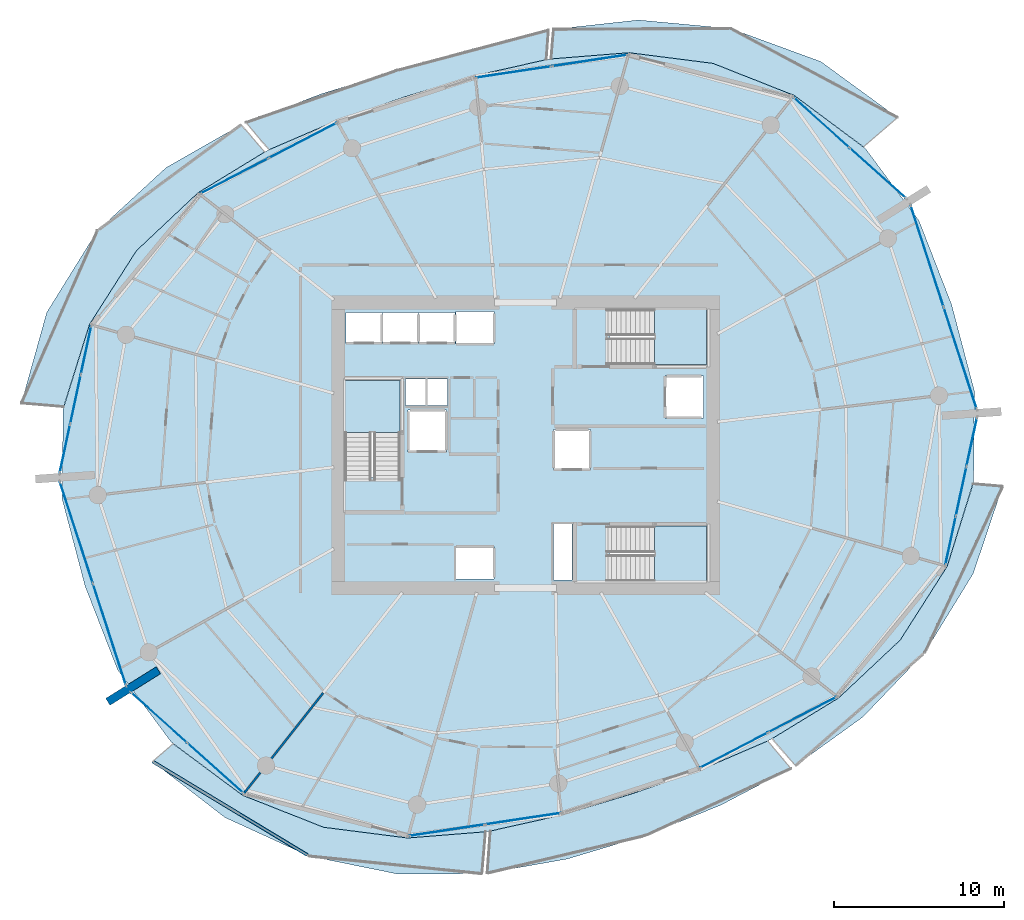
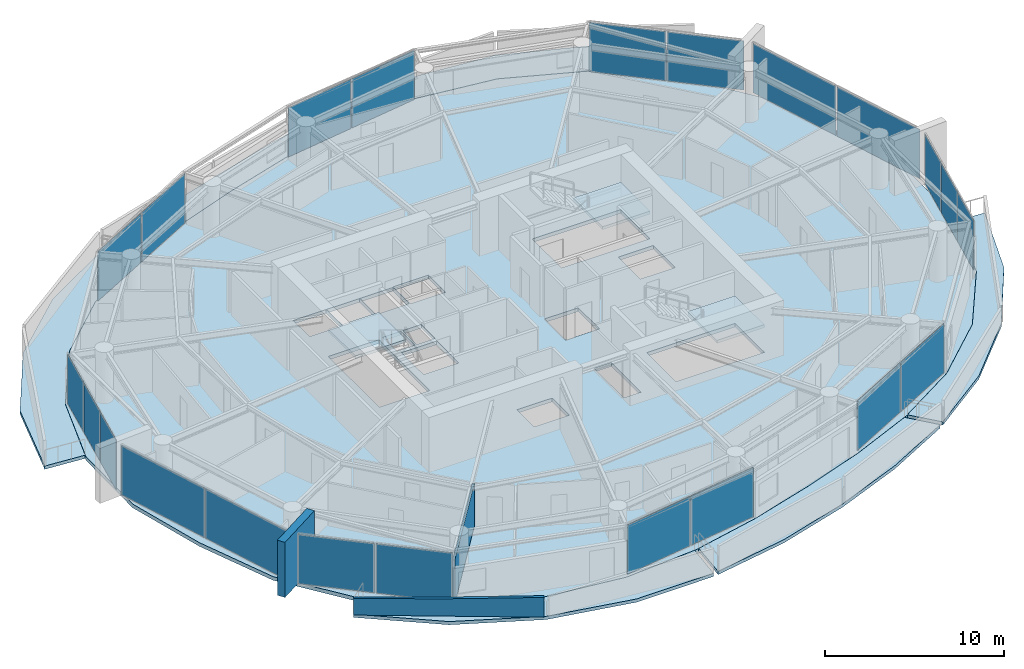
# One storey, part 10 of 20: 22 plates, 10 slabs, 3 walls, 13 elements without a shape of their own.
"""IFC4 building model written with IfcOpenShell, lengths in metres."""

import ifcopenshell
import ifcopenshell.guid

model = None  # the IFC model being written
_history = None  # IfcOwnerHistory: only IFC2X3 demands one
_inside = {}  # id of a spatial element -> (the spatial element, [elements in it])
_under = {}  # id of a project, library or spatial element -> (it, [spatial elements below it])
_declared = {}  # id of a project -> (the project, [libraries it declares])
_typed = {}  # id of a type object -> (the type object, [elements of that type])
_made_of = {}  # id of a material, layer set ... -> (it, [elements and type objects made of it])


def new_model(schema):
    """Start an empty IFC model of exactly this schema.

    Asked for "IFC4X3", IfcOpenShell would pick the latest addendum, in which some entities
    have other attributes; the version numbers below select the first issue.
    IFC2X3 requires an IfcOwnerHistory on every rooted entity: one is made here for all.
    """
    global model, _history
    if schema == "IFC4X3":
        model = ifcopenshell.file(schema_version=(4, 3, 0, 0))
    else:
        model = ifcopenshell.file(schema=schema)
    _inside.clear()
    _under.clear()
    _declared.clear()
    _typed.clear()
    _made_of.clear()
    _history = None
    if model.schema == "IFC2X3":
        org = make("IfcOrganization", Name="unknown")
        user = make(
            "IfcPersonAndOrganization",
            ThePerson=make("IfcPerson", FamilyName="unknown"),
            TheOrganization=org,
        )
        app = make(
            "IfcApplication",
            ApplicationDeveloper=org,
            Version="unknown",
            ApplicationFullName="unknown",
            ApplicationIdentifier="unknown",
        )
        _history = make(
            "IfcOwnerHistory",
            OwningUser=user,
            OwningApplication=app,
            ChangeAction="ADDED",
            CreationDate=0,
        )
    return model


def make(cls, **values):
    """One entity of the class cls with the attributes given. An attribute that is None is left unset."""
    return model.create_entity(
        cls, **{name: value for name, value in values.items() if value is not None}
    )


def rooted(cls, **values):
    """An entity with a GlobalId (a new one), such as an element, a storey or a relation."""
    return make(cls, GlobalId=ifcopenshell.guid.new(), OwnerHistory=_history, **values)


def si_unit(unit_type, name, prefix=None):
    """IfcSIUnit, for example si_unit("LENGTHUNIT", "METRE", prefix="MILLI")."""
    return make("IfcSIUnit", UnitType=unit_type, Prefix=prefix, Name=name)


def assignment(units):
    """IfcUnitAssignment: the units of a project."""
    return None if units is None else make("IfcUnitAssignment", Units=units)


def point(xyz):
    """IfcCartesianPoint."""
    return None if xyz is None else make("IfcCartesianPoint", Coordinates=xyz)


def direction(xyz):
    """IfcDirection."""
    return None if xyz is None else make("IfcDirection", DirectionRatios=xyz)


def frame(location, z_axis=None, x_axis=None):
    """IfcAxis2Placement3D, a coordinate frame: its origin and axes. An axis left out is left unset."""
    return make(
        "IfcAxis2Placement3D",
        Location=point(location),
        Axis=direction(z_axis),
        RefDirection=direction(x_axis),
    )


def frame_2d(location, x_axis=None):
    """IfcAxis2Placement2D, a coordinate frame in the plane: its origin and x axis."""
    return make(
        "IfcAxis2Placement2D", Location=point(location), RefDirection=direction(x_axis)
    )


def origin():
    """The frame at (0, 0, 0) with its axes left unset."""
    return frame((0.0, 0.0, 0.0))


def origin_2d():
    """The frame at (0, 0) in the plane with its x axis left unset."""
    return frame_2d((0.0, 0.0))


def place(relative_to, where):
    """IfcLocalPlacement: puts the frame where relative to a parent placement (None: the world)."""
    return make(
        "IfcLocalPlacement", PlacementRelTo=relative_to, RelativePlacement=where
    )


def context(
    kind, dimensions, precision=None, world=None, true_north=None, identifier=None
):
    """IfcGeometricRepresentationContext, for example the 3D "Model" context."""
    return make(
        "IfcGeometricRepresentationContext",
        ContextIdentifier=identifier,
        ContextType=kind,
        CoordinateSpaceDimension=dimensions,
        Precision=precision,
        WorldCoordinateSystem=world,
        TrueNorth=true_north,
    )


def subcontext(parent, identifier, kind, view, scale=None):
    """IfcGeometricRepresentationSubContext, for example "Body" below "Model"."""
    return make(
        "IfcGeometricRepresentationSubContext",
        ContextIdentifier=identifier,
        ContextType=kind,
        ParentContext=parent,
        TargetScale=scale,
        TargetView=view,
    )


def project(units=None, contexts=None):
    """IfcProject with its units and contexts."""
    return rooted(
        "IfcProject",
        Name="project",
        RepresentationContexts=contexts,
        UnitsInContext=assignment(units),
    )


def spatial(cls, under=None, at=None, **own):
    """A site, building, storey or space (cls), placed at a placement, below another one or the project."""
    s = rooted(cls, ObjectPlacement=at, **own)
    if under is not None:
        _under.setdefault(under.id(), (under, []))[1].append(s)
    return s


def polyline(points):
    """IfcPolyline through the points."""
    return make("IfcPolyline", Points=[point(p) for p in points])


def profile(cls, at=None, kind="AREA", **sizes):
    """A parametric profile (cls). Its sizes go by their IFC names, for example OverallWidth=200.0."""
    return make(cls, ProfileType=kind, Position=at, **sizes)


def rectangle(**sizes):
    """IfcRectangleProfileDef."""
    return profile("IfcRectangleProfileDef", **sizes)


def outline(outer, holes=None, kind="AREA"):
    """IfcArbitraryClosedProfileDef: a profile drawn as a closed curve; with holes, ...WithVoids."""
    if holes is None:
        return make("IfcArbitraryClosedProfileDef", ProfileType=kind, OuterCurve=outer)
    return make(
        "IfcArbitraryProfileDefWithVoids",
        ProfileType=kind,
        OuterCurve=outer,
        InnerCurves=holes,
    )


def extrude(swept, where, along, depth):
    """IfcExtrudedAreaSolid: the profile swept, set in the frame where, extruded along a direction by depth."""
    return make(
        "IfcExtrudedAreaSolid",
        SweptArea=swept,
        Position=where,
        ExtrudedDirection=direction(along),
        Depth=depth,
    )


def shape(context_of_items, identifier, shape_type, items):
    """IfcShapeRepresentation: the items that make up one representation, for example the "Body"."""
    return make(
        "IfcShapeRepresentation",
        ContextOfItems=context_of_items,
        RepresentationIdentifier=identifier,
        RepresentationType=shape_type,
        Items=items,
    )


def material(Name=None, Category=None):
    """IfcMaterial."""
    return make("IfcMaterial", Name=Name, Category=Category)


def layer(
    of_material, thickness, ventilated=None, Name=None, Category=None, Priority=None
):
    """IfcMaterialLayer: one layer of a wall or slab, of a material (None: an air gap)."""
    return make(
        "IfcMaterialLayer",
        Material=of_material,
        LayerThickness=thickness,
        IsVentilated=ventilated,
        Name=Name,
        Category=Category,
        Priority=Priority,
    )


def layer_set(layers, Name=None):
    """IfcMaterialLayerSet."""
    return make("IfcMaterialLayerSet", MaterialLayers=layers, LayerSetName=Name)


def made_of(thing, what):
    """Note that an element or type object is made of a material, layer set ...; save() writes the relation."""
    if what is not None:
        _made_of.setdefault(what.id(), (what, []))[1].append(thing)
    return thing


def type_object(cls, material=None, **own):
    """A type object (cls), such as IfcWallType, which elements share."""
    return made_of(rooted(cls, **own), material)


def element(
    cls,
    number,
    at=None,
    inside=None,
    cuts=None,
    type_object=None,
    material=None,
    context=None,
    identifier="Body",
    shape_type=None,
    held_by="IfcProductDefinitionShape",
    body=None,
    shapes=None,
    **own,
):
    """One element of the class cls, such as IfcWall. Its Tag is "e" and its number.

    at: its placement. inside: the storey or other place that contains it. cuts: it is an
    opening in that element (IfcRelVoidsElement). A single representation is given by context,
    identifier, shape_type and body (its items); several are given by shapes. held_by: the class
    of the entity that holds the representations. save() writes the other relations.
    """
    e = rooted(cls, Tag="e%d" % number, ObjectPlacement=at, **own)
    if body is not None:
        shapes = [shape(context, identifier, shape_type, body)]
    if shapes is not None:
        e.Representation = make(held_by, Representations=shapes)
    if inside is not None:
        _inside.setdefault(inside.id(), (inside, []))[1].append(e)
    if cuts is not None:
        rooted(
            "IfcRelVoidsElement", RelatingBuildingElement=cuts, RelatedOpeningElement=e
        )
    if type_object is not None:
        _typed.setdefault(type_object.id(), (type_object, []))[1].append(e)
    return made_of(e, material)


def aggregate(whole, parts):
    """IfcRelAggregates: a whole, such as a stair, and the parts it consists of."""
    return rooted("IfcRelAggregates", RelatingObject=whole, RelatedObjects=parts)


def save(model, path):
    """Write the relations noted so far, then the file.

    IfcRelAggregates (storeys below a building ...), IfcRelContainedInSpatialStructure (elements
    in a storey), IfcRelDefinesByType, IfcRelAssociatesMaterial and IfcRelDeclares: one each for
    every whole, place, type object, material and project.
    """
    for whole, parts in _under.values():
        aggregate(whole, parts)
    for where, things in _inside.values():
        rooted(
            "IfcRelContainedInSpatialStructure",
            RelatedElements=things,
            RelatingStructure=where,
        )
    for kind, things in _typed.values():
        rooted("IfcRelDefinesByType", RelatedObjects=things, RelatingType=kind)
    for what, things in _made_of.values():
        rooted("IfcRelAssociatesMaterial", RelatedObjects=things, RelatingMaterial=what)
    for by, libraries in _declared.values():
        rooted("IfcRelDeclares", RelatingContext=by, RelatedDefinitions=libraries)
    model.write(path)


model = new_model("IFC4")

# Units and contexts
model_context = context("Model", 3, precision=1e-05, world=origin(), true_north=direction((0.0, 1.0)))
body_context = subcontext(model_context, "Body", "Model", "MODEL_VIEW")
ifc_project = project(units=[si_unit("LENGTHUNIT", "METRE"), si_unit("AREAUNIT", "SQUARE_METRE"), si_unit("VOLUMEUNIT", "CUBIC_METRE"), si_unit("PLANEANGLEUNIT", "RADIAN"), si_unit("MASSUNIT", "GRAM", prefix="KILO")], contexts=[model_context])

# Site, building, storey
site_placement = place(None, origin())
site = spatial("IfcSite", under=ifc_project, at=site_placement, CompositionType="ELEMENT")
building_placement = place(site_placement, origin())
building = spatial("IfcBuilding", under=site, at=building_placement, Name="Kazma Halo Residences", CompositionType="ELEMENT")
storey_placement = place(building_placement, frame((0.0, 0.0, 169.050048828125)))
storey = spatial("IfcBuildingStorey", under=building, at=storey_placement, Name="L42", CompositionType="ELEMENT", Elevation=169.050048828125)

# Curtain wall, plates
ifc_material_1 = material(Name="Aluminium AW-6063 T6 and Triple-Silver Low-E Glass", Category="aluminium")
ifc_layer_1 = layer(ifc_material_1, 0.219970703125)
ifc_layer_set_1 = layer_set([ifc_layer_1], Name="Aluminium AW-6063 T6 and Triple-Silver Low-E Glass")
curtain_wall_type = type_object("IfcCurtainWallType", Name="CW-SYS-4", PredefinedType="NOTDEFINED", material=ifc_layer_set_1)
curtain_wall_1_placement = place(storey_placement, origin())
curtain_wall_1 = element("IfcCurtainWall", 1, at=curtain_wall_1_placement, inside=storey, type_object=curtain_wall_type, Name="L42 unitised curtain wall B01", PredefinedType="NOTDEFINED")
ifc_material_2 = material(Name="Clear Triple-Silver Low-E Glass IGU", Category="glass")
ifc_layer_2 = layer(ifc_material_2, 0.033935546875)
ifc_layer_set_2 = layer_set([ifc_layer_2], Name="Clear Triple-Silver Low-E Glass IGU")
plate_type = type_object("IfcPlateType", Name="CW-SYS-4-PNL", PredefinedType="CURTAIN_PANEL", material=ifc_layer_set_2)
plate_1_placement = place(storey_placement, frame((69.126708984375, 58.008056640625, 0.074951171875), z_axis=(0.0, 0.0, 1.0), x_axis=(-0.744367582957, 0.667770096247, 0.0)))
plate_1 = element("IfcPlate", 2, at=plate_1_placement, type_object=plate_type, Name="CWS-4 panel 1.1", PredefinedType="CURTAIN_PANEL", context=body_context, shape_type="SweptSolid", body=[
    extrude(rectangle(XDim=4.36279296875, YDim=0.033935546875, at=origin_2d()), origin(), (0.0, 0.0, 1.0), 3.35009765625),
])
plate_2_placement = place(storey_placement, frame((65.823486328125, 60.971435546875, 0.074951171875), z_axis=(0.0, 0.0, 1.0), x_axis=(-0.744367582957, 0.667770096247, 0.0)))
plate_2 = element("IfcPlate", 3, at=plate_2_placement, type_object=plate_type, Name="CWS-4 panel 2.1", PredefinedType="CURTAIN_PANEL", context=body_context, shape_type="SweptSolid", body=[
    extrude(rectangle(XDim=4.36279296875, YDim=0.033935546875, at=origin_2d()), origin(), (0.0, 0.0, 1.0), 3.35009765625),
])
aggregate(curtain_wall_1, [plate_1, plate_2])

curtain_wall_2_placement = place(storey_placement, origin())
curtain_wall_2 = element("IfcCurtainWall", 4, at=curtain_wall_2_placement, inside=storey, type_object=curtain_wall_type, Name="L42 unitised curtain wall B03", PredefinedType="NOTDEFINED")
plate_3_placement = place(storey_placement, frame((52.200439453125, 64.625732421875, 0.074951171875), z_axis=(0.0, 0.0, 1.0), x_axis=(-0.988864148004, -0.148821022686, 0.0)))
plate_3 = element("IfcPlate", 5, at=plate_3_placement, type_object=plate_type, Name="CWS-4 panel 1.1", PredefinedType="CURTAIN_PANEL", context=body_context, shape_type="SweptSolid", body=[
    extrude(rectangle(XDim=4.4560546875, YDim=0.033935546875, at=origin_2d()), origin(), (0.0, 0.0, 1.0), 3.35009765625),
])
plate_4_placement = place(storey_placement, frame((47.7197265625, 63.951416015625, 0.074951171875), z_axis=(0.0, 0.0, 1.0), x_axis=(-0.988864148004, -0.148821022686, 0.0)))
plate_4 = element("IfcPlate", 6, at=plate_4_placement, type_object=plate_type, Name="CWS-4 panel 2.1", PredefinedType="CURTAIN_PANEL", context=body_context, shape_type="SweptSolid", body=[
    extrude(rectangle(XDim=4.4560546875, YDim=0.033935546875, at=origin_2d()), origin(), (0.0, 0.0, 1.0), 3.35009765625),
])
aggregate(curtain_wall_2, [plate_3, plate_4])

curtain_wall_3_placement = place(storey_placement, origin())
curtain_wall_3 = element("IfcCurtainWall", 7, at=curtain_wall_3_placement, inside=storey, type_object=curtain_wall_type, Name="L42 unitised curtain wall B05", PredefinedType="NOTDEFINED")
plate_5_placement = place(storey_placement, frame((35.323974609375, 59.923828125, 0.074951171875), z_axis=(0.0, 0.0, 1.0), x_axis=(-0.887484542306, -0.460837484552, 0.0)))
plate_5 = element("IfcPlate", 8, at=plate_5_placement, type_object=plate_type, Name="CWS-4 panel 1.1", PredefinedType="CURTAIN_PANEL", context=body_context, shape_type="SweptSolid", body=[
    extrude(rectangle(XDim=4.4560546875, YDim=0.033935546875, at=origin_2d()), origin(), (0.0, 0.0, 1.0), 3.35009765625),
])
plate_6_placement = place(storey_placement, frame((31.302734375, 57.835693359375, 0.074951171875), z_axis=(0.0, 0.0, 1.0), x_axis=(-0.887484542306, -0.460837484552, 0.0)))
plate_6 = element("IfcPlate", 9, at=plate_6_placement, type_object=plate_type, Name="CWS-4 panel 2.1", PredefinedType="CURTAIN_PANEL", context=body_context, shape_type="SweptSolid", body=[
    extrude(rectangle(XDim=4.4560546875, YDim=0.033935546875, at=origin_2d()), origin(), (0.0, 0.0, 1.0), 3.35009765625),
])
aggregate(curtain_wall_3, [plate_5, plate_6])

curtain_wall_4_placement = place(storey_placement, origin())
curtain_wall_4 = element("IfcCurtainWall", 10, at=curtain_wall_4_placement, inside=storey, type_object=curtain_wall_type, Name="L42 unitised curtain wall B07", PredefinedType="NOTDEFINED")
plate_7_placement = place(storey_placement, frame((22.5859375, 47.601318359375, 0.074951171875), z_axis=(0.0, 0.0, 1.0), x_axis=(-0.209703809037, -0.977764957684, 0.0)))
plate_7 = element("IfcPlate", 11, at=plate_7_placement, type_object=plate_type, Name="CWS-4 panel 1.1", PredefinedType="CURTAIN_PANEL", context=body_context, shape_type="SweptSolid", body=[
    extrude(rectangle(XDim=2.87109375, YDim=0.033935546875, at=origin_2d()), origin(), (0.0, 0.0, 1.0), 3.35009765625),
])
plate_8_placement = place(storey_placement, frame((21.964111328125, 44.702392578125, 0.074951171875), z_axis=(0.0, 0.0, 1.0), x_axis=(-0.209703809037, -0.977764957684, 0.0)))
plate_8 = element("IfcPlate", 12, at=plate_8_placement, type_object=plate_type, Name="CWS-4 panel 2.1", PredefinedType="CURTAIN_PANEL", context=body_context, shape_type="SweptSolid", body=[
    extrude(rectangle(XDim=2.90869140625, YDim=0.033935546875, at=origin_2d()), origin(), (0.0, 0.0, 1.0), 3.35009765625),
])
plate_9_placement = place(storey_placement, frame((21.34228515625, 41.803466796875, 0.074951171875), z_axis=(0.0, 0.0, 1.0), x_axis=(-0.209703809037, -0.977764957684, 0.0)))
plate_9 = element("IfcPlate", 13, at=plate_9_placement, type_object=plate_type, Name="CWS-4 panel 3.1", PredefinedType="CURTAIN_PANEL", context=body_context, shape_type="SweptSolid", body=[
    extrude(rectangle(XDim=2.87109375, YDim=0.033935546875, at=origin_2d()), origin(), (0.0, 0.0, 1.0), 3.35009765625),
])
aggregate(curtain_wall_4, [plate_7, plate_8, plate_9])

curtain_wall_5_placement = place(storey_placement, origin())
curtain_wall_5 = element("IfcCurtainWall", 14, at=curtain_wall_5_placement, inside=storey, type_object=curtain_wall_type, Name="L42 unitised curtain wall B08", PredefinedType="NOTDEFINED")
plate_10_placement = place(storey_placement, frame((22.017578125, 36.869873046875, 0.074951171875), z_axis=(0.0, 0.0, 1.0), x_axis=(0.3090138203, -0.951057547609, 0.0)))
plate_10 = element("IfcPlate", 15, at=plate_10_placement, type_object=plate_type, Name="CWS-4 panel 1.1", PredefinedType="CURTAIN_PANEL", context=body_context, shape_type="SweptSolid", body=[
    extrude(rectangle(XDim=6.224853515625, YDim=0.033935546875, at=origin_2d()), origin(), (0.0, 0.0, 1.0), 3.35009765625),
])
plate_11_placement = place(storey_placement, frame((23.96435546875, 30.878173828125, 0.074951171875), z_axis=(0.0, 0.0, 1.0), x_axis=(0.3090138203, -0.951057547609, 0.0)))
plate_11 = element("IfcPlate", 16, at=plate_11_placement, type_object=plate_type, Name="CWS-4 panel 2.1", PredefinedType="CURTAIN_PANEL", context=body_context, shape_type="SweptSolid", body=[
    extrude(rectangle(XDim=6.224853515625, YDim=0.033935546875, at=origin_2d()), origin(), (0.0, 0.0, 1.0), 3.35009765625),
])
aggregate(curtain_wall_5, [plate_10, plate_11])

curtain_wall_6_placement = place(storey_placement, origin())
curtain_wall_6 = element("IfcCurtainWall", 17, at=curtain_wall_6_placement, inside=storey, type_object=curtain_wall_type, Name="L42 unitised curtain wall B09", PredefinedType="NOTDEFINED")
plate_12_placement = place(storey_placement, frame((26.873291015625, 25.991943359375, 0.074951171875), z_axis=(0.0, 0.0, 1.0), x_axis=(0.744367582957, -0.667770096247, 0.0)))
plate_12 = element("IfcPlate", 18, at=plate_12_placement, type_object=plate_type, Name="CWS-4 panel 1.1", PredefinedType="CURTAIN_PANEL", context=body_context, shape_type="SweptSolid", body=[
    extrude(rectangle(XDim=4.36279296875, YDim=0.033935546875, at=origin_2d()), origin(), (0.0, 0.0, 1.0), 3.35009765625),
])
plate_13_placement = place(storey_placement, frame((30.176513671875, 23.028564453125, 0.074951171875), z_axis=(0.0, 0.0, 1.0), x_axis=(0.744367582957, -0.667770096247, 0.0)))
plate_13 = element("IfcPlate", 19, at=plate_13_placement, type_object=plate_type, Name="CWS-4 panel 2.1", PredefinedType="CURTAIN_PANEL", context=body_context, shape_type="SweptSolid", body=[
    extrude(rectangle(XDim=4.36279296875, YDim=0.033935546875, at=origin_2d()), origin(), (0.0, 0.0, 1.0), 3.35009765625),
])
aggregate(curtain_wall_6, [plate_12, plate_13])

curtain_wall_7_placement = place(storey_placement, origin())
curtain_wall_7 = element("IfcCurtainWall", 20, at=curtain_wall_7_placement, inside=storey, type_object=curtain_wall_type, Name="L42 unitised curtain wall B11", PredefinedType="NOTDEFINED")
plate_14_placement = place(storey_placement, frame((43.799560546875, 19.374267578125, 0.074951171875), z_axis=(0.0, 0.0, 1.0), x_axis=(0.988864148004, 0.148821022686, 0.0)))
plate_14 = element("IfcPlate", 21, at=plate_14_placement, type_object=plate_type, Name="CWS-4 panel 1.1", PredefinedType="CURTAIN_PANEL", context=body_context, shape_type="SweptSolid", body=[
    extrude(rectangle(XDim=4.4560546875, YDim=0.033935546875, at=origin_2d()), origin(), (0.0, 0.0, 1.0), 3.35009765625),
])
plate_15_placement = place(storey_placement, frame((48.2802734375, 20.048583984375, 0.074951171875), z_axis=(0.0, 0.0, 1.0), x_axis=(0.988864148004, 0.148821022686, 0.0)))
plate_15 = element("IfcPlate", 22, at=plate_15_placement, type_object=plate_type, Name="CWS-4 panel 2.1", PredefinedType="CURTAIN_PANEL", context=body_context, shape_type="SweptSolid", body=[
    extrude(rectangle(XDim=4.4560546875, YDim=0.033935546875, at=origin_2d()), origin(), (0.0, 0.0, 1.0), 3.35009765625),
])
aggregate(curtain_wall_7, [plate_14, plate_15])

curtain_wall_8_placement = place(storey_placement, origin())
curtain_wall_8 = element("IfcCurtainWall", 23, at=curtain_wall_8_placement, inside=storey, type_object=curtain_wall_type, Name="L42 unitised curtain wall B13", PredefinedType="NOTDEFINED")
plate_16_placement = place(storey_placement, frame((60.676025390625, 24.076171875, 0.074951171875), z_axis=(0.0, 0.0, 1.0), x_axis=(0.887484542306, 0.460837484552, 0.0)))
plate_16 = element("IfcPlate", 24, at=plate_16_placement, type_object=plate_type, Name="CWS-4 panel 1.1", PredefinedType="CURTAIN_PANEL", context=body_context, shape_type="SweptSolid", body=[
    extrude(rectangle(XDim=4.4560546875, YDim=0.033935546875, at=origin_2d()), origin(), (0.0, 0.0, 1.0), 3.35009765625),
])
plate_17_placement = place(storey_placement, frame((64.697265625, 26.164306640625, 0.074951171875), z_axis=(0.0, 0.0, 1.0), x_axis=(0.887484542306, 0.460837484552, 0.0)))
plate_17 = element("IfcPlate", 25, at=plate_17_placement, type_object=plate_type, Name="CWS-4 panel 2.1", PredefinedType="CURTAIN_PANEL", context=body_context, shape_type="SweptSolid", body=[
    extrude(rectangle(XDim=4.4560546875, YDim=0.033935546875, at=origin_2d()), origin(), (0.0, 0.0, 1.0), 3.35009765625),
])
aggregate(curtain_wall_8, [plate_16, plate_17])

curtain_wall_9_placement = place(storey_placement, origin())
curtain_wall_9 = element("IfcCurtainWall", 26, at=curtain_wall_9_placement, inside=storey, type_object=curtain_wall_type, Name="L42 unitised curtain wall B15", PredefinedType="NOTDEFINED")
plate_18_placement = place(storey_placement, frame((73.4140625, 36.398681640625, 0.074951171875), z_axis=(0.0, 0.0, 1.0), x_axis=(0.209703809037, 0.977764957684, 0.0)))
plate_18 = element("IfcPlate", 27, at=plate_18_placement, type_object=plate_type, Name="CWS-4 panel 1.1", PredefinedType="CURTAIN_PANEL", context=body_context, shape_type="SweptSolid", body=[
    extrude(rectangle(XDim=2.87109375, YDim=0.033935546875, at=origin_2d()), origin(), (0.0, 0.0, 1.0), 3.35009765625),
])
plate_19_placement = place(storey_placement, frame((74.035888671875, 39.297607421875, 0.074951171875), z_axis=(0.0, 0.0, 1.0), x_axis=(0.209703809037, 0.977764957684, 0.0)))
plate_19 = element("IfcPlate", 28, at=plate_19_placement, type_object=plate_type, Name="CWS-4 panel 2.1", PredefinedType="CURTAIN_PANEL", context=body_context, shape_type="SweptSolid", body=[
    extrude(rectangle(XDim=2.90869140625, YDim=0.033935546875, at=origin_2d()), origin(), (0.0, 0.0, 1.0), 3.35009765625),
])
plate_20_placement = place(storey_placement, frame((74.65771484375, 42.196533203125, 0.074951171875), z_axis=(0.0, 0.0, 1.0), x_axis=(0.209703809037, 0.977764957684, 0.0)))
plate_20 = element("IfcPlate", 29, at=plate_20_placement, type_object=plate_type, Name="CWS-4 panel 3.1", PredefinedType="CURTAIN_PANEL", context=body_context, shape_type="SweptSolid", body=[
    extrude(rectangle(XDim=2.87109375, YDim=0.033935546875, at=origin_2d()), origin(), (0.0, 0.0, 1.0), 3.35009765625),
])
aggregate(curtain_wall_9, [plate_18, plate_19, plate_20])

curtain_wall_10_placement = place(storey_placement, origin())
curtain_wall_10 = element("IfcCurtainWall", 30, at=curtain_wall_10_placement, inside=storey, type_object=curtain_wall_type, Name="L42 unitised curtain wall B16", PredefinedType="NOTDEFINED")
plate_21_placement = place(storey_placement, frame((73.982421875, 47.130126953125, 0.074951171875), z_axis=(0.0, 0.0, 1.0), x_axis=(-0.3090138203, 0.951057547609, 0.0)))
plate_21 = element("IfcPlate", 31, at=plate_21_placement, type_object=plate_type, Name="CWS-4 panel 1.1", PredefinedType="CURTAIN_PANEL", context=body_context, shape_type="SweptSolid", body=[
    extrude(rectangle(XDim=6.224853515625, YDim=0.033935546875, at=origin_2d()), origin(), (0.0, 0.0, 1.0), 3.35009765625),
])
plate_22_placement = place(storey_placement, frame((72.03564453125, 53.121826171875, 0.074951171875), z_axis=(0.0, 0.0, 1.0), x_axis=(-0.3090138203, 0.951057547609, 0.0)))
plate_22 = element("IfcPlate", 32, at=plate_22_placement, type_object=plate_type, Name="CWS-4 panel 2.1", PredefinedType="CURTAIN_PANEL", context=body_context, shape_type="SweptSolid", body=[
    extrude(rectangle(XDim=6.224853515625, YDim=0.033935546875, at=origin_2d()), origin(), (0.0, 0.0, 1.0), 3.35009765625),
])
aggregate(curtain_wall_10, [plate_21, plate_22])

# Slabs
ifc_material_3 = material(Name="White Concrete C50/60", Category="concrete")
ifc_layer_3 = layer(ifc_material_3, 0.219970703125)
ifc_layer_set_3 = layer_set([ifc_layer_3], Name="White Concrete C50/60")
slab_type_1 = type_object("IfcSlabType", Name="SLB-BAL-WAVE-210", PredefinedType="FLOOR", material=ifc_layer_set_3)
slab_1_placement = place(storey_placement, frame((0.0, 0.0, -0.219970703125)))
element("IfcSlab", 33, at=slab_1_placement, inside=storey, type_object=slab_type_1, Name="L42 NE cantilevered wave balcony slab", PredefinedType="FLOOR", context=body_context, shape_type="SweptSolid", body=[
    extrude(outline(polyline([(68.294677734375, 59.548583984375), (64.21923828125, 62.573974609375), (59.442626953125, 64.45751953125), (54.510986328125, 65.0859375), (49.927978515625, 64.720458984375), (50.07568359375, 66.462158203125), (55.052978515625, 67.007568359375), (60.4853515625, 66.50390625), (65.785888671875, 64.561279296875), (70.2900390625, 61.274169921875), (68.294677734375, 59.548583984375)])), origin(), (0.0, 0.0, 1.0), 0.219970703125),
])
slab_2_placement = place(storey_placement, frame((0.0, 0.0, -0.219970703125)))
element("IfcSlab", 34, at=slab_2_placement, inside=storey, type_object=slab_type_1, Name="L42 NNW cantilevered wave balcony slab", PredefinedType="FLOOR", context=body_context, shape_type="SweptSolid", body=[
    extrude(outline(polyline([(49.6455078125, 64.67822265625), (45.427978515625, 63.72998046875), (41.3408203125, 62.494873046875), (37.30810546875, 61.091552734375), (33.3388671875, 59.3798828125), (31.988037109375, 60.981201171875), (36.42431640625, 62.669921875), (40.841064453125, 64.033203125), (45.241455078125, 65.306884765625), (49.770751953125, 66.40380859375), (49.6455078125, 64.67822265625)])), origin(), (0.0, 0.0, 1.0), 0.219970703125),
])
slab_3_placement = place(storey_placement, frame((0.0, 0.0, -0.219970703125)))
element("IfcSlab", 35, at=slab_3_placement, inside=storey, type_object=slab_type_1, Name="L42 NW cantilevered wave balcony slab", PredefinedType="FLOOR", context=body_context, shape_type="SweptSolid", body=[
    extrude(outline(polyline([(33.08544921875, 59.248046875), (29.1630859375, 56.849853515625), (25.54248046875, 53.442626953125), (22.78515625, 49.111328125), (21.2666015625, 44.268310546875), (18.782958984375, 44.47900390625), (20.275146484375, 49.819091796875), (23.2451171875, 54.61328125), (27.28857421875, 58.32763671875), (31.699951171875, 60.850341796875), (33.08544921875, 59.248046875)])), origin(), (0.0, 0.0, 1.0), 0.219970703125),
])
slab_4_placement = place(storey_placement, frame((0.0, 0.0, -0.219970703125)))
element("IfcSlab", 36, at=slab_4_placement, inside=storey, type_object=slab_type_1, Name="L42 SW cantilevered wave balcony slab", PredefinedType="FLOOR", context=body_context, shape_type="SweptSolid", body=[
    extrude(outline(polyline([(27.705322265625, 24.451416015625), (31.78076171875, 21.426025390625), (36.557373046875, 19.54248046875), (41.489013671875, 18.9140625), (46.072021484375, 19.279541015625), (45.86328125, 16.818603515625), (40.89208984375, 16.797119140625), (35.6953125, 17.8505859375), (30.74951171875, 20.117919921875), (26.49658203125, 23.406005859375), (27.705322265625, 24.451416015625)])), origin(), (0.0, 0.0, 1.0), 0.219970703125),
])
slab_5_placement = place(storey_placement, frame((0.0, 0.0, -0.219970703125)))
element("IfcSlab", 37, at=slab_5_placement, inside=storey, type_object=slab_type_1, Name="L42 SSE cantilevered wave balcony slab", PredefinedType="FLOOR", context=body_context, shape_type="SweptSolid", body=[
    extrude(outline(polyline([(46.3544921875, 19.32177734375), (50.572021484375, 20.27001953125), (54.6591796875, 21.505126953125), (58.69189453125, 22.908447265625), (62.6611328125, 24.6201171875), (64.024169921875, 23.00439453125), (59.858154296875, 20.825927734375), (55.455810546875, 19.052978515625), (50.87841796875, 17.68017578125), (46.175048828125, 16.849365234375), (46.3544921875, 19.32177734375)])), origin(), (0.0, 0.0, 1.0), 0.219970703125),
])
slab_6_placement = place(storey_placement, frame((0.0, 0.0, -0.219970703125)))
element("IfcSlab", 38, at=slab_6_placement, inside=storey, type_object=slab_type_1, Name="L42 SE cantilevered wave balcony slab", PredefinedType="FLOOR", context=body_context, shape_type="SweptSolid", body=[
    extrude(outline(polyline([(62.91455078125, 24.751953125), (66.8369140625, 27.150146484375), (70.45751953125, 30.557373046875), (73.21484375, 34.888671875), (74.7333984375, 39.731689453125), (76.47119140625, 39.584228515625), (74.7431640625, 34.45751953125), (71.898681640625, 29.822998046875), (68.2578125, 26.030029296875), (64.28759765625, 23.1640625), (62.91455078125, 24.751953125)])), origin(), (0.0, 0.0, 1.0), 0.219970703125),
])
ifc_material_4 = material(Name="Concrete C50/60", Category="concrete")
ifc_layer_4 = layer(ifc_material_4, 0.25)
ifc_layer_set_4 = layer_set([ifc_layer_4], Name="Concrete C50/60")
slab_type_2 = type_object("IfcSlabType", Name="SLB-RES-250", PredefinedType="FLOOR", material=ifc_layer_set_4)
slab_7_placement = place(storey_placement, frame((0.0, 0.0, -0.25)))
element("IfcSlab", 39, at=slab_7_placement, inside=storey, type_object=slab_type_2, Name="L42 structural floor slab", PredefinedType="FLOOR", context=body_context, shape_type="SweptSolid", body=[
    extrude(outline(polyline([(73.47265625, 50.276611328125), (71.56201171875, 55.1953125), (68.41796875, 59.438720703125), (64.218017578125, 62.572509765625), (59.441650390625, 64.45556640625), (54.510498046875, 65.083984375), (49.787109375, 64.706298828125), (45.42822265625, 63.727783203125), (41.341552734375, 62.492919921875), (37.30908203125, 61.08984375), (33.2080078125, 59.3193359375), (29.16455078125, 56.8486328125), (25.54443359375, 53.441650390625), (22.787109375, 49.110595703125), (21.2314453125, 44.106689453125), (21.181884765625, 38.825927734375), (22.52734375, 33.723388671875), (24.43798828125, 28.8046875), (27.58203125, 24.561279296875), (31.781982421875, 21.427490234375), (36.558349609375, 19.54443359375), (41.489501953125, 18.916015625), (46.212890625, 19.293701171875), (50.57177734375, 20.272216796875), (54.658447265625, 21.507080078125), (58.69091796875, 22.91015625), (62.7919921875, 24.6806640625), (66.83544921875, 27.1513671875), (70.45556640625, 30.558349609375), (73.212890625, 34.889404296875), (74.7685546875, 39.893310546875), (74.818115234375, 45.174072265625), (73.47265625, 50.276611328125)]), holes=[polyline([(37.800048828125, 40.110107421875), (41.050048828125, 40.110107421875), (41.050048828125, 45.800048828125), (37.800048828125, 45.800048828125), (37.800048828125, 40.110107421875)]), polyline([(53.360107421875, 46.75), (59.050048828125, 46.75), (59.050048828125, 50.0), (53.360107421875, 50.0), (53.360107421875, 46.75)]), polyline([(53.360107421875, 34.0), (59.050048828125, 34.0), (59.050048828125, 37.25), (53.360107421875, 37.25), (53.360107421875, 34.0)]), polyline([(41.52001953125, 41.6201171875), (43.780029296875, 41.6201171875), (43.780029296875, 44.080078125), (41.52001953125, 44.080078125), (41.52001953125, 41.6201171875)]), polyline([(56.6201171875, 43.6201171875), (58.8798828125, 43.6201171875), (58.8798828125, 46.080078125), (56.6201171875, 46.080078125), (56.6201171875, 43.6201171875)]), polyline([(37.864990234375, 47.9951171875), (39.97509765625, 47.9951171875), (39.97509765625, 49.804931640625), (37.864990234375, 49.804931640625), (37.864990234375, 47.9951171875)]), polyline([(40.014892578125, 47.9951171875), (42.125, 47.9951171875), (42.125, 49.804931640625), (40.014892578125, 49.804931640625), (40.014892578125, 47.9951171875)]), polyline([(42.1650390625, 47.9951171875), (44.27490234375, 47.9951171875), (44.27490234375, 49.804931640625), (42.1650390625, 49.804931640625), (42.1650390625, 47.9951171875)]), polyline([(44.320068359375, 47.945068359375), (46.580078125, 47.945068359375), (46.580078125, 49.85498046875), (44.320068359375, 49.85498046875), (44.320068359375, 47.945068359375)]), polyline([(44.320068359375, 34.14501953125), (46.580078125, 34.14501953125), (46.580078125, 36.054931640625), (44.320068359375, 36.054931640625), (44.320068359375, 34.14501953125)]), polyline([(50.070068359375, 40.570068359375), (52.22998046875, 40.570068359375), (52.22998046875, 42.929931640625), (50.070068359375, 42.929931640625), (50.070068359375, 40.570068359375)]), polyline([(41.360107421875, 44.340087890625), (42.5400390625, 44.340087890625), (42.5400390625, 45.89990234375), (41.360107421875, 45.89990234375), (41.360107421875, 44.340087890625)]), polyline([(42.659912109375, 44.340087890625), (43.840087890625, 44.340087890625), (43.840087890625, 45.89990234375), (42.659912109375, 45.89990234375), (42.659912109375, 44.340087890625)]), polyline([(50.06005859375, 34.080078125), (51.159912109375, 34.080078125), (51.159912109375, 37.3798828125), (50.06005859375, 37.3798828125), (50.06005859375, 34.080078125)])]), origin(), (0.0, 0.0, 1.0), 0.25),
])

# Stair, slab
stair_type = type_object("IfcStairType", Name="STR-RES1", PredefinedType="HALF_TURN_STAIR", material=ifc_material_4)
stair_1_placement = place(storey_placement, origin())
stair_1 = element("IfcStair", 40, at=stair_1_placement, inside=storey, type_object=stair_type, Name="L42 Core exit stair ST-01", PredefinedType="HALF_TURN_STAIR")
ifc_layer_5 = layer(ifc_material_4, 0.199951171875)
ifc_layer_set_5 = layer_set([ifc_layer_5], Name="Concrete C50/60")
slab_type_3 = type_object("IfcSlabType", Name="SLB-STAIR-LND-200", PredefinedType="LANDING", material=ifc_layer_set_5)
slab_8_placement = place(storey_placement, frame((0.0, 0.0, 1.675048828125)))
slab_8 = element("IfcSlab", 41, at=slab_8_placement, type_object=slab_type_3, Name="ST-01 landing 1", PredefinedType="LANDING", context=body_context, shape_type="SweptSolid", body=[
    extrude(outline(polyline([(41.050048828125, 42.75), (41.050048828125, 45.800048828125), (37.800048828125, 45.800048828125), (37.800048828125, 42.75), (41.050048828125, 42.75)])), origin(), (0.0, 0.0, 1.0), 0.199951171875),
])
aggregate(stair_1, [slab_8])

stair_2_placement = place(storey_placement, origin())
stair_2 = element("IfcStair", 42, at=stair_2_placement, inside=storey, type_object=stair_type, Name="L42 Core exit stair ST-02", PredefinedType="HALF_TURN_STAIR")
slab_9_placement = place(storey_placement, frame((0.0, 0.0, 1.675048828125)))
slab_9 = element("IfcSlab", 43, at=slab_9_placement, type_object=slab_type_3, Name="ST-02 landing 1", PredefinedType="LANDING", context=body_context, shape_type="SweptSolid", body=[
    extrude(outline(polyline([(56.0, 46.75), (59.050048828125, 46.75), (59.050048828125, 50.0), (56.0, 50.0), (56.0, 46.75)])), origin(), (0.0, 0.0, 1.0), 0.199951171875),
])
aggregate(stair_2, [slab_9])

stair_3_placement = place(storey_placement, origin())
stair_3 = element("IfcStair", 44, at=stair_3_placement, inside=storey, type_object=stair_type, Name="L42 Core exit stair ST-03", PredefinedType="HALF_TURN_STAIR")
slab_10_placement = place(storey_placement, frame((0.0, 0.0, 1.675048828125)))
slab_10 = element("IfcSlab", 45, at=slab_10_placement, type_object=slab_type_3, Name="ST-03 landing 1", PredefinedType="LANDING", context=body_context, shape_type="SweptSolid", body=[
    extrude(outline(polyline([(56.0, 34.0), (59.050048828125, 34.0), (59.050048828125, 37.25), (56.0, 37.25), (56.0, 34.0)])), origin(), (0.0, 0.0, 1.0), 0.199951171875),
])
aggregate(stair_3, [slab_10])

# Walls
ifc_material_5 = material(Name="White Concrete C50/60 Balustrade", Category="concrete")
ifc_layer_6 = layer(ifc_material_5, 0.179931640625)
ifc_layer_set_6 = layer_set([ifc_layer_6], Name="White Concrete C50/60 Balustrade")
wall_type_1 = type_object("IfcWallType", Name="WL-BAL-WAVE-180", PredefinedType="PARAPET", material=ifc_layer_set_6)
wall_1_placement = place(storey_placement, frame((26.49658203125, 23.406005859375, 0.0), z_axis=(0.0, 0.0, 1.0), x_axis=(0.856001332464, -0.516973615207, 0.0)))
element("IfcWall", 46, at=wall_1_placement, inside=storey, type_object=wall_type_1, Name="L42 white wave balustrade wall SW.1", PredefinedType="PARAPET", context=body_context, shape_type="SweptSolid", body=[
    extrude(outline(polyline([(0.0, 0.0), (10.6259765625, 0.0), (10.626220703125, 1.347900390625), (5.31298828125, 1.181884765625), (0.0, 1.119873046875), (0.0, 0.0)])), frame((0.0, 0.08984375, 0.0), z_axis=(0.0, -1.0, 0.0), x_axis=(1.0, 0.0, 0.0)), (0.0, 0.0, 1.0), 0.179931640625),
])
ifc_material_6 = material(Name="Pale Concrete C60/75", Category="concrete")
ifc_layer_7 = layer(ifc_material_6, 0.47998046875)
ifc_layer_set_7 = layer_set([ifc_layer_7], Name="Pale Concrete C60/75")
wall_type_2 = type_object("IfcWallType", Name="WL-BLADE-480", PredefinedType="SOLIDWALL", material=ifc_layer_set_7)
wall_2_placement = place(storey_placement, frame((26.834716796875, 28.7744140625, 0.0), z_axis=(0.0, 0.0, 1.0), x_axis=(-0.848053161125, -0.529911158502, 0.0)))
element("IfcWall", 47, at=wall_2_placement, inside=storey, type_object=wall_type_2, Name="L42 pale concrete structural blade fin wall BW-03", PredefinedType="SOLIDWALL", context=body_context, shape_type="SweptSolid", body=[
    extrude(rectangle(XDim=3.5, YDim=0.47998046875, at=frame_2d((1.75, 0.0))), origin(), (0.0, 0.0, 1.0), 3.75),
])
ifc_material_7 = material(Name="Gypsum Plasterboard Partition")
ifc_layer_8 = layer(ifc_material_7, 0.125)
ifc_layer_set_8 = layer_set([ifc_layer_8], Name="Gypsum Plasterboard Partition")
wall_type_3 = type_object("IfcWallType", Name="WL-PART-125", PredefinedType="PARTITIONING", material=ifc_layer_set_8)
wall_3_placement = place(storey_placement, frame((36.522705078125, 27.44091796875, 0.0), z_axis=(0.0, 0.0, 1.0), x_axis=(-0.619110986016, -0.785303499925, 0.0)))
element("IfcWall", 48, at=wall_3_placement, inside=storey, type_object=wall_type_3, Name="L42 Apartment 1 radial partition 9", PredefinedType="PARTITIONING", context=body_context, shape_type="SweptSolid", body=[
    extrude(rectangle(XDim=7.5126953125, YDim=0.125, at=frame_2d((3.75634765625, 0.0))), origin(), (0.0, 0.0, 1.0), 2.93994140625),
])

save(model, "model.ifc")
